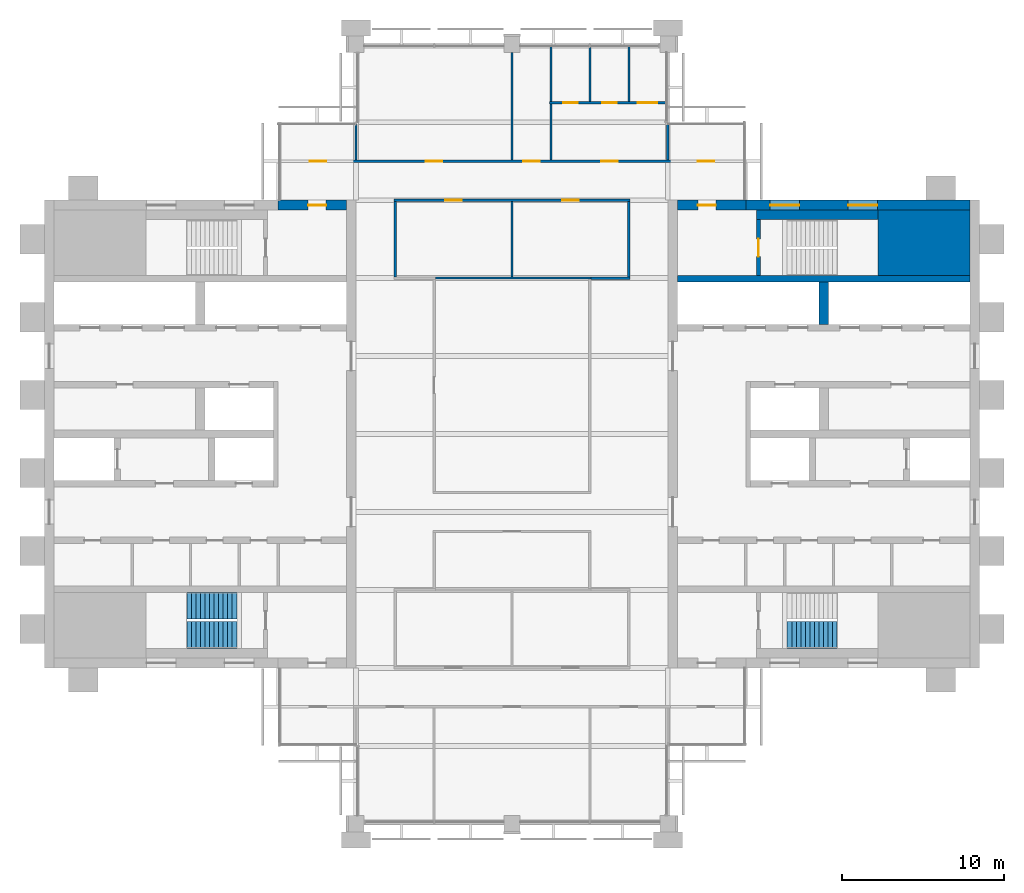
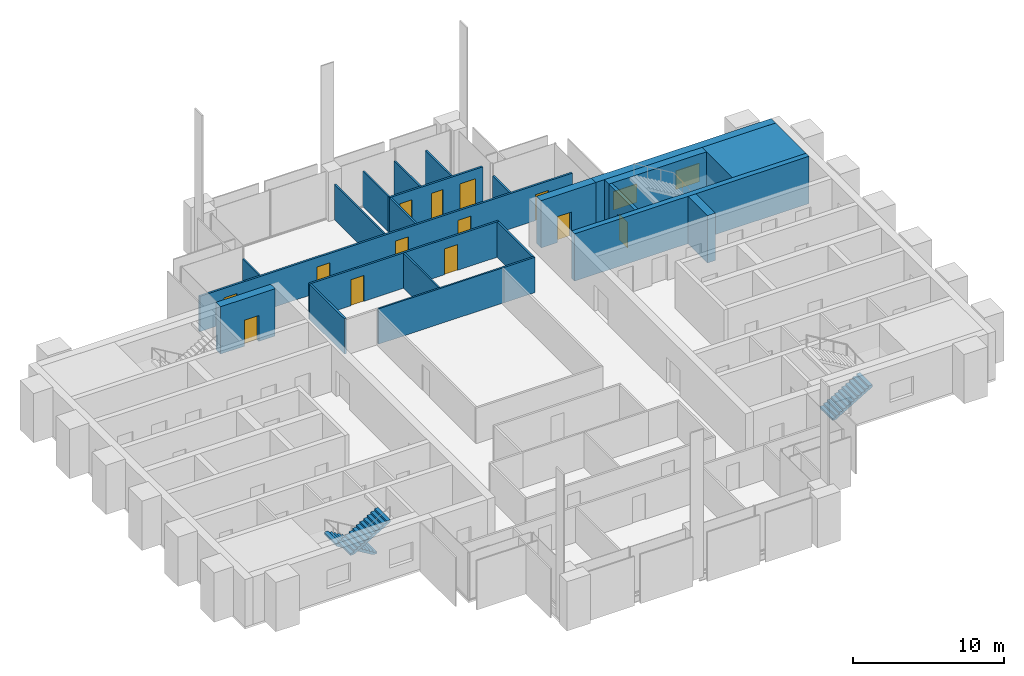
# One storey, part 11 of 13: 23 walls, 13 doors, 3 stair flights, 2 windows, 15 openings, 2 elements without a shape of their own.
"""IFC4 building model written with IfcOpenShell, lengths in metres."""

from ifc_helpers import new_model, si_unit, direction, frame, frame_2d, origin, place, context, subcontext, project, spatial, polyline, rectangle, outline, extrude, material, layer, layer_set, type_object, element, fill, aggregate, save


model = new_model("IFC4")

# Units and contexts
model_context = context("Model", 3, precision=1e-05, world=origin(), true_north=direction((0.0, 1.0)))
body_context = subcontext(model_context, "Body", "Model", "MODEL_VIEW")
ifc_project = project(units=[si_unit("LENGTHUNIT", "METRE"), si_unit("AREAUNIT", "SQUARE_METRE"), si_unit("VOLUMEUNIT", "CUBIC_METRE"), si_unit("PLANEANGLEUNIT", "RADIAN"), si_unit("MASSUNIT", "GRAM", prefix="KILO")], contexts=[model_context])

# Site, building, storey
site_placement = place(None, origin())
site = spatial("IfcSite", under=ifc_project, at=site_placement, CompositionType="ELEMENT")
building_placement = place(site_placement, origin())
building = spatial("IfcBuilding", under=site, at=building_placement, Name="Baori Bourse Tower", CompositionType="ELEMENT")
storey_placement = place(building_placement, frame((0.0, 0.0, 330.300048828125)))
storey = spatial("IfcBuildingStorey", under=building, at=storey_placement, Name="L73", CompositionType="ELEMENT", Elevation=330.300048828125)

# Wall
ifc_material_1 = material(Name="Concrete f'c 40 MPa", Category="concrete")
wall_type_1 = type_object("IfcWallType", Name="Core corner block f'c 40", PredefinedType="SHEAR", material=ifc_material_1)
wall_1_placement = place(storey_placement, frame((51.35009765625, 35.77490234375, 0.0), z_axis=(0.0, 0.0, 1.0), x_axis=(1.0, 0.0, 0.0)))
element("IfcWall", 1, at=wall_1_placement, inside=storey, type_object=wall_type_1, Name="Core wall E24", PredefinedType="SHEAR", context=body_context, shape_type="SweptSolid", body=[
    extrude(rectangle(XDim=5.64990234375, YDim=4.050048828125, at=frame_2d((2.824951171875, 0.0))), origin(), (0.0, 0.0, 1.0), 3.83984375),
])

# Wall, opening, door
ifc_material_2 = material(Name="Concrete f'c 40 MPa", Category="concrete")
ifc_layer_1 = layer(ifc_material_2, 0.60009765625)
ifc_layer_set_1 = layer_set([ifc_layer_1], Name="Core wall 600 f'c 40")
wall_type_2 = type_object("IfcWallType", Name="Core wall 600 f'c 40", PredefinedType="SHEAR", material=ifc_layer_set_1)
wall_2_placement = place(storey_placement, frame((14.39990234375, 38.10009765625, 0.0), z_axis=(0.0, 0.0, 1.0), x_axis=(1.0, 0.0, 0.0)))
wall_2 = element("IfcWall", 2, at=wall_2_placement, inside=storey, type_object=wall_type_2, Name="Core wall W28", PredefinedType="SHEAR", context=body_context, shape_type="SweptSolid", body=[
    extrude(rectangle(XDim=4.2001953125, YDim=0.60009765625, at=frame_2d((2.10009765625, 0.0))), origin(), (0.0, 0.0, 1.0), 3.83984375),
])
opening_1_placement = place(wall_2_placement, frame((1.85009765625, 0.0, 0.0)))
opening_1 = element("IfcOpeningElement", 3, at=opening_1_placement, cuts=wall_2, Name="Opening L73-D104", PredefinedType="OPENING", context=body_context, shape_type="SweptSolid", body=[
    extrude(rectangle(XDim=1.10009765625, YDim=2.10009765625, at=frame_2d((0.550048828125, 1.050048828125))), frame((0.0, 0.31005859375, 0.0), z_axis=(0.0, -1.0, 0.0), x_axis=(1.0, 0.0, 0.0)), (0.0, 0.0, 1.0), 0.6201171875),
])
ifc_material_3 = material(Name="Painted steel door", Category="steel")
door_type_1 = type_object("IfcDoorType", Name="Stair door 1100", OperationType="SINGLE_SWING_LEFT", PredefinedType="DOOR", material=ifc_material_3)
door_1_placement = place(opening_1_placement, origin())
door_1 = element("IfcDoor", 4, at=door_1_placement, inside=storey, type_object=door_type_1, Name="Stair vestibule door B W L73", OperationType="SINGLE_SWING_LEFT", OverallHeight=2.10009765625, OverallWidth=1.10009765625, PredefinedType="DOOR", context=body_context, shape_type="SweptSolid", body=[
    extrude(rectangle(XDim=1.10009765625, YDim=2.10009765625, at=frame_2d((0.550048828125, 1.050048828125))), frame((0.0, 0.02490234375, 0.0), z_axis=(0.0, -1.0, 0.0), x_axis=(1.0, 0.0, 0.0)), (0.0, 0.0, 1.0), 0.050048828125),
])
fill(opening_1, door_1)

# Wall, openings, windows
wall_3_placement = place(storey_placement, frame((43.199951171875, 38.10009765625, 0.0), z_axis=(0.0, 0.0, 1.0), x_axis=(1.0, 0.0, 0.0)))
wall_3 = element("IfcWall", 5, at=wall_3_placement, inside=storey, type_object=wall_type_2, Name="Core wall E27", PredefinedType="SHEAR", context=body_context, shape_type="SweptSolid", body=[
    extrude(rectangle(XDim=13.800048828125, YDim=0.60009765625, at=frame_2d((6.89990234375, 0.0))), origin(), (0.0, 0.0, 1.0), 3.83984375),
])
opening_2_placement = place(wall_3_placement, frame((6.300048828125, 0.0, 0.89990234375)))
opening_2 = element("IfcOpeningElement", 6, at=opening_2_placement, cuts=wall_3, Name="Opening L73-KW205", PredefinedType="OPENING", context=body_context, shape_type="SweptSolid", body=[
    extrude(rectangle(XDim=1.800048828125, YDim=1.5, at=frame_2d((0.89990234375, 0.75))), frame((0.0, 0.31005859375, 0.0), z_axis=(0.0, -1.0, 0.0), x_axis=(1.0, 0.0, 0.0)), (0.0, 0.0, 1.0), 0.6201171875),
])
opening_3_placement = place(wall_3_placement, frame((1.5, 0.0, 0.89990234375)))
opening_3 = element("IfcOpeningElement", 7, at=opening_3_placement, cuts=wall_3, Name="Opening L73-KW206", PredefinedType="OPENING", context=body_context, shape_type="SweptSolid", body=[
    extrude(rectangle(XDim=1.800048828125, YDim=1.5, at=frame_2d((0.89990234375, 0.75))), frame((0.0, 0.31005859375, 0.0), z_axis=(0.0, -1.0, 0.0), x_axis=(1.0, 0.0, 0.0)), (0.0, 0.0, 1.0), 0.6201171875),
])
ifc_material_4 = material(Name="Pale anodised aluminium", Category="aluminium")
window_type = type_object("IfcWindowType", Name="Stair window 1800 x 1500", PartitioningType="SINGLE_PANEL", PredefinedType="WINDOW", material=ifc_material_4)
window_1_placement = place(opening_2_placement, origin())
window_1 = element("IfcWindow", 8, at=window_1_placement, inside=storey, type_object=window_type, Name="Stair window E L73 5", OverallHeight=1.5, OverallWidth=1.800048828125, PartitioningType="SINGLE_PANEL", PredefinedType="WINDOW", context=body_context, shape_type="SweptSolid", body=[
    extrude(rectangle(XDim=1.800048828125, YDim=1.5, at=frame_2d((0.89990234375, 0.75))), frame((0.0, 0.030029296875, 0.0), z_axis=(0.0, -1.0, 0.0), x_axis=(1.0, 0.0, 0.0)), (0.0, 0.0, 1.0), 0.06005859375),
])
fill(opening_2, window_1)
window_2_placement = place(opening_3_placement, origin())
window_2 = element("IfcWindow", 9, at=window_2_placement, inside=storey, type_object=window_type, Name="Stair window E L73 6", OverallHeight=1.5, OverallWidth=1.800048828125, PartitioningType="SINGLE_PANEL", PredefinedType="WINDOW", context=body_context, shape_type="SweptSolid", body=[
    extrude(rectangle(XDim=1.800048828125, YDim=1.5, at=frame_2d((0.89990234375, 0.75))), frame((0.0, 0.030029296875, 0.0), z_axis=(0.0, -1.0, 0.0), x_axis=(1.0, 0.0, 0.0)), (0.0, 0.0, 1.0), 0.06005859375),
])
fill(opening_3, window_2)

# Wall, opening, door
wall_4_placement = place(storey_placement, frame((39.0, 38.10009765625, 0.0), z_axis=(0.0, 0.0, 1.0), x_axis=(1.0, 0.0, 0.0)))
wall_4 = element("IfcWall", 10, at=wall_4_placement, inside=storey, type_object=wall_type_2, Name="Core wall E28", PredefinedType="SHEAR", context=body_context, shape_type="SweptSolid", body=[
    extrude(rectangle(XDim=4.199951171875, YDim=0.60009765625, at=frame_2d((2.10009765625, 0.0))), origin(), (0.0, 0.0, 1.0), 3.83984375),
])
opening_4_placement = place(wall_4_placement, frame((1.25, 0.0, 0.0)))
opening_4 = element("IfcOpeningElement", 11, at=opening_4_placement, cuts=wall_4, Name="Opening L73-D204", PredefinedType="OPENING", context=body_context, shape_type="SweptSolid", body=[
    extrude(rectangle(XDim=1.10009765625, YDim=2.10009765625, at=frame_2d((0.550048828125, 1.050048828125))), frame((0.0, 0.31005859375, 0.0), z_axis=(0.0, -1.0, 0.0), x_axis=(1.0, 0.0, 0.0)), (0.0, 0.0, 1.0), 0.6201171875),
])
door_2_placement = place(opening_4_placement, origin())
door_2 = element("IfcDoor", 12, at=door_2_placement, inside=storey, type_object=door_type_1, Name="Stair vestibule door B E L73", OperationType="SINGLE_SWING_LEFT", OverallHeight=2.10009765625, OverallWidth=1.10009765625, PredefinedType="DOOR", context=body_context, shape_type="SweptSolid", body=[
    extrude(rectangle(XDim=1.10009765625, YDim=2.10009765625, at=frame_2d((0.550048828125, 1.050048828125))), frame((0.0, 0.02490234375, 0.0), z_axis=(0.0, -1.0, 0.0), x_axis=(1.0, 0.0, 0.0)), (0.0, 0.0, 1.0), 0.050048828125),
])
fill(opening_4, door_2)

# Wall
ifc_material_5 = material(Name="Gypsum board partition")
ifc_layer_2 = layer(ifc_material_5, 0.14990234375)
ifc_layer_set_2 = layer_set([ifc_layer_2], Name="Corridor partition 150")
wall_type_3 = type_object("IfcWallType", Name="Corridor partition 150", PredefinedType="PARTITIONING", material=ifc_layer_set_2)
wall_5_placement = place(storey_placement, frame((33.675048828125, 33.60009765625, 0.0), z_axis=(0.0, 0.0, 1.0), x_axis=(1.0, 0.0, 0.0)))
element("IfcWall", 13, at=wall_5_placement, inside=storey, type_object=wall_type_3, Name="Partition", PredefinedType="PARTITIONING", context=body_context, shape_type="SweptSolid", body=[
    extrude(rectangle(XDim=2.39990234375, YDim=0.14990234375, at=frame_2d((1.199951171875, 0.0))), origin(), (0.0, 0.0, 1.0), 2.86962890625),
])

# Wall, openings, doors
wall_6_placement = place(storey_placement, frame((21.52490234375, 38.39990234375, 0.0), z_axis=(0.0, 0.0, 1.0), x_axis=(1.0, 0.0, 0.0)))
wall_6 = element("IfcWall", 14, at=wall_6_placement, inside=storey, type_object=wall_type_3, Name="Partition", PredefinedType="PARTITIONING", context=body_context, shape_type="SweptSolid", body=[
    extrude(rectangle(XDim=14.550048828125, YDim=0.14990234375, at=frame_2d((7.27490234375, 0.0))), origin(), (0.0, 0.0, 1.0), 2.86962890625),
])
opening_5_placement = place(wall_6_placement, frame((3.175048828125, 0.0, 0.0)))
opening_5 = element("IfcOpeningElement", 15, at=opening_5_placement, cuts=wall_6, Name="Opening L73-D09", PredefinedType="OPENING", context=body_context, shape_type="SweptSolid", body=[
    extrude(rectangle(XDim=1.0, YDim=2.10009765625, at=frame_2d((0.5, 1.050048828125))), frame((0.0, 0.0849609375, 0.0), z_axis=(0.0, -1.0, 0.0), x_axis=(1.0, 0.0, 0.0)), (0.0, 0.0, 1.0), 0.169921875),
])
opening_6_placement = place(wall_6_placement, frame((10.375, 0.0, 0.0)))
opening_6 = element("IfcOpeningElement", 16, at=opening_6_placement, cuts=wall_6, Name="Opening L73-D10", PredefinedType="OPENING", context=body_context, shape_type="SweptSolid", body=[
    extrude(rectangle(XDim=1.0, YDim=2.10009765625, at=frame_2d((0.5, 1.050048828125))), frame((0.0, 0.0849609375, 0.0), z_axis=(0.0, -1.0, 0.0), x_axis=(1.0, 0.0, 0.0)), (0.0, 0.0, 1.0), 0.169921875),
])
ifc_material_6 = material(Name="Timber door leaf", Category="wood")
door_type_2 = type_object("IfcDoorType", Name="Door 1000 x 2100", OperationType="SINGLE_SWING_LEFT", PredefinedType="DOOR", material=ifc_material_6)
door_3_placement = place(opening_5_placement, origin())
door_3 = element("IfcDoor", 17, at=door_3_placement, inside=storey, type_object=door_type_2, Name="Door", OperationType="SINGLE_SWING_LEFT", OverallHeight=2.10009765625, OverallWidth=1.0, PredefinedType="DOOR", context=body_context, shape_type="SweptSolid", body=[
    extrude(rectangle(XDim=1.0, YDim=2.10009765625, at=frame_2d((0.5, 1.050048828125))), frame((0.0, 0.02490234375, 0.0), z_axis=(0.0, -1.0, 0.0), x_axis=(1.0, 0.0, 0.0)), (0.0, 0.0, 1.0), 0.050048828125),
])
fill(opening_5, door_3)
door_4_placement = place(opening_6_placement, origin())
door_4 = element("IfcDoor", 18, at=door_4_placement, inside=storey, type_object=door_type_2, Name="Door", OperationType="SINGLE_SWING_RIGHT", OverallHeight=2.10009765625, OverallWidth=1.0, PredefinedType="DOOR", context=body_context, shape_type="SweptSolid", body=[
    extrude(rectangle(XDim=1.0, YDim=2.10009765625, at=frame_2d((0.5, 1.050048828125))), frame((0.0, 0.02490234375, 0.0), z_axis=(0.0, -1.0, 0.0), x_axis=(1.0, 0.0, 0.0)), (0.0, 0.0, 1.0), 0.050048828125),
])
fill(opening_6, door_4)

wall_7_placement = place(storey_placement, frame((14.5, 40.800048828125, 0.0), z_axis=(0.0, 0.0, 1.0), x_axis=(1.0, 0.0, 0.0)))
wall_7 = element("IfcWall", 19, at=wall_7_placement, inside=storey, type_object=wall_type_3, Name="Partition", PredefinedType="PARTITIONING", context=body_context, shape_type="SweptSolid", body=[
    extrude(rectangle(XDim=28.60009765625, YDim=0.14990234375, at=frame_2d((14.300048828125, 0.0))), origin(), (0.0, 0.0, 1.0), 2.86962890625),
])
opening_7_placement = place(wall_7_placement, frame((1.85009765625, 0.0, 0.0)))
opening_7 = element("IfcOpeningElement", 20, at=opening_7_placement, cuts=wall_7, Name="Opening L73-D11", PredefinedType="OPENING", context=body_context, shape_type="SweptSolid", body=[
    extrude(rectangle(XDim=1.0, YDim=2.10009765625, at=frame_2d((0.5, 1.050048828125))), frame((0.0, 0.0849609375, 0.0), z_axis=(0.0, -1.0, 0.0), x_axis=(1.0, 0.0, 0.0)), (0.0, 0.0, 1.0), 0.169921875),
])
opening_8_placement = place(wall_7_placement, frame((9.0, 0.0, 0.0)))
opening_8 = element("IfcOpeningElement", 21, at=opening_8_placement, cuts=wall_7, Name="Opening L73-D12", PredefinedType="OPENING", context=body_context, shape_type="SweptSolid", body=[
    extrude(rectangle(XDim=1.0, YDim=2.10009765625, at=frame_2d((0.5, 1.050048828125))), frame((0.0, 0.0849609375, 0.0), z_axis=(0.0, -1.0, 0.0), x_axis=(1.0, 0.0, 0.0)), (0.0, 0.0, 1.0), 0.169921875),
])
opening_9_placement = place(wall_7_placement, frame((15.0, 0.0, 0.0)))
opening_9 = element("IfcOpeningElement", 22, at=opening_9_placement, cuts=wall_7, Name="Opening L73-D13", PredefinedType="OPENING", context=body_context, shape_type="SweptSolid", body=[
    extrude(rectangle(XDim=1.0, YDim=2.10009765625, at=frame_2d((0.5, 1.050048828125))), frame((0.0, 0.0849609375, 0.0), z_axis=(0.0, -1.0, 0.0), x_axis=(1.0, 0.0, 0.0)), (0.0, 0.0, 1.0), 0.169921875),
])
opening_10_placement = place(wall_7_placement, frame((19.800048828125, 0.0, 0.0)))
opening_10 = element("IfcOpeningElement", 23, at=opening_10_placement, cuts=wall_7, Name="Opening L73-D14", PredefinedType="OPENING", context=body_context, shape_type="SweptSolid", body=[
    extrude(rectangle(XDim=1.0, YDim=2.10009765625, at=frame_2d((0.5, 1.050048828125))), frame((0.0, 0.0849609375, 0.0), z_axis=(0.0, -1.0, 0.0), x_axis=(1.0, 0.0, 0.0)), (0.0, 0.0, 1.0), 0.169921875),
])
opening_11_placement = place(wall_7_placement, frame((25.75, 0.0, 0.0)))
opening_11 = element("IfcOpeningElement", 24, at=opening_11_placement, cuts=wall_7, Name="Opening L73-D15", PredefinedType="OPENING", context=body_context, shape_type="SweptSolid", body=[
    extrude(rectangle(XDim=1.0, YDim=2.10009765625, at=frame_2d((0.5, 1.050048828125))), frame((0.0, 0.0849609375, 0.0), z_axis=(0.0, -1.0, 0.0), x_axis=(1.0, 0.0, 0.0)), (0.0, 0.0, 1.0), 0.169921875),
])
door_5_placement = place(opening_7_placement, origin())
door_5 = element("IfcDoor", 25, at=door_5_placement, inside=storey, type_object=door_type_2, Name="Door", OperationType="SINGLE_SWING_RIGHT", OverallHeight=2.10009765625, OverallWidth=1.0, PredefinedType="DOOR", context=body_context, shape_type="SweptSolid", body=[
    extrude(rectangle(XDim=1.0, YDim=2.10009765625, at=frame_2d((0.5, 1.050048828125))), frame((0.0, 0.02490234375, 0.0), z_axis=(0.0, -1.0, 0.0), x_axis=(1.0, 0.0, 0.0)), (0.0, 0.0, 1.0), 0.050048828125),
])
fill(opening_7, door_5)
door_6_placement = place(opening_8_placement, origin())
door_6 = element("IfcDoor", 26, at=door_6_placement, inside=storey, type_object=door_type_2, Name="Door", OperationType="SINGLE_SWING_RIGHT", OverallHeight=2.10009765625, OverallWidth=1.0, PredefinedType="DOOR", context=body_context, shape_type="SweptSolid", body=[
    extrude(rectangle(XDim=1.0, YDim=2.10009765625, at=frame_2d((0.5, 1.050048828125))), frame((0.0, 0.02490234375, 0.0), z_axis=(0.0, -1.0, 0.0), x_axis=(1.0, 0.0, 0.0)), (0.0, 0.0, 1.0), 0.050048828125),
])
fill(opening_8, door_6)
door_7_placement = place(opening_9_placement, origin())
door_7 = element("IfcDoor", 27, at=door_7_placement, inside=storey, type_object=door_type_2, Name="Door", OperationType="SINGLE_SWING_LEFT", OverallHeight=2.10009765625, OverallWidth=1.0, PredefinedType="DOOR", context=body_context, shape_type="SweptSolid", body=[
    extrude(rectangle(XDim=1.0, YDim=2.10009765625, at=frame_2d((0.5, 1.050048828125))), frame((0.0, 0.02490234375, 0.0), z_axis=(0.0, -1.0, 0.0), x_axis=(1.0, 0.0, 0.0)), (0.0, 0.0, 1.0), 0.050048828125),
])
fill(opening_9, door_7)
door_8_placement = place(opening_10_placement, origin())
door_8 = element("IfcDoor", 28, at=door_8_placement, inside=storey, type_object=door_type_2, Name="Door", OperationType="SINGLE_SWING_RIGHT", OverallHeight=2.10009765625, OverallWidth=1.0, PredefinedType="DOOR", context=body_context, shape_type="SweptSolid", body=[
    extrude(rectangle(XDim=1.0, YDim=2.10009765625, at=frame_2d((0.5, 1.050048828125))), frame((0.0, 0.02490234375, 0.0), z_axis=(0.0, -1.0, 0.0), x_axis=(1.0, 0.0, 0.0)), (0.0, 0.0, 1.0), 0.050048828125),
])
fill(opening_10, door_8)
door_9_placement = place(opening_11_placement, origin())
door_9 = element("IfcDoor", 29, at=door_9_placement, inside=storey, type_object=door_type_2, Name="Door", OperationType="SINGLE_SWING_LEFT", OverallHeight=2.10009765625, OverallWidth=1.0, PredefinedType="DOOR", context=body_context, shape_type="SweptSolid", body=[
    extrude(rectangle(XDim=1.0, YDim=2.10009765625, at=frame_2d((0.5, 1.050048828125))), frame((0.0, 0.02490234375, 0.0), z_axis=(0.0, -1.0, 0.0), x_axis=(1.0, 0.0, 0.0)), (0.0, 0.0, 1.0), 0.050048828125),
])
fill(opening_11, door_9)

wall_8_placement = place(storey_placement, frame((31.125, 44.39990234375, 0.0), z_axis=(0.0, 0.0, 1.0), x_axis=(1.0, 0.0, 0.0)))
wall_8 = element("IfcWall", 30, at=wall_8_placement, inside=storey, type_object=wall_type_3, Name="Partition", PredefinedType="PARTITIONING", context=body_context, shape_type="SweptSolid", body=[
    extrude(rectangle(XDim=7.175048828125, YDim=0.14990234375, at=frame_2d((3.58740234375, 0.0))), origin(), (0.0, 0.0, 1.0), 2.86962890625),
])
opening_12_placement = place(wall_8_placement, frame((0.824951171875, 0.0, 0.0)))
opening_12 = element("IfcOpeningElement", 31, at=opening_12_placement, cuts=wall_8, Name="Opening L73-D16", PredefinedType="OPENING", context=body_context, shape_type="SweptSolid", body=[
    extrude(rectangle(XDim=0.89990234375, YDim=2.10009765625, at=frame_2d((0.449951171875, 1.050048828125))), frame((0.0, 0.0849609375, 0.0), z_axis=(0.0, -1.0, 0.0), x_axis=(1.0, 0.0, 0.0)), (0.0, 0.0, 1.0), 0.169921875),
])
opening_13_placement = place(wall_8_placement, frame((3.22509765625, 0.0, 0.0)))
opening_13 = element("IfcOpeningElement", 32, at=opening_13_placement, cuts=wall_8, Name="Opening L73-D17", PredefinedType="OPENING", context=body_context, shape_type="SweptSolid", body=[
    extrude(rectangle(XDim=0.89990234375, YDim=2.10009765625, at=frame_2d((0.449951171875, 1.050048828125))), frame((0.0, 0.0849609375, 0.0), z_axis=(0.0, -1.0, 0.0), x_axis=(1.0, 0.0, 0.0)), (0.0, 0.0, 1.0), 0.169921875),
])
opening_14_placement = place(wall_8_placement, frame((5.425048828125, 0.0, 0.0)))
opening_14 = element("IfcOpeningElement", 33, at=opening_14_placement, cuts=wall_8, Name="Opening L73-D18", PredefinedType="OPENING", context=body_context, shape_type="SweptSolid", body=[
    extrude(rectangle(XDim=1.199951171875, YDim=2.10009765625, at=frame_2d((0.60009765625, 1.050048828125))), frame((0.0, 0.0849609375, 0.0), z_axis=(0.0, -1.0, 0.0), x_axis=(1.0, 0.0, 0.0)), (0.0, 0.0, 1.0), 0.169921875),
])
ifc_material_7 = material(Name="Timber door leaf", Category="wood")
door_type_3 = type_object("IfcDoorType", Name="Door 1200 x 2100", OperationType="SINGLE_SWING_LEFT", PredefinedType="DOOR", material=ifc_material_7)
door_10_placement = place(opening_14_placement, origin())
door_10 = element("IfcDoor", 34, at=door_10_placement, inside=storey, type_object=door_type_3, Name="Door", OperationType="SINGLE_SWING_LEFT", OverallHeight=2.10009765625, OverallWidth=1.199951171875, PredefinedType="DOOR", context=body_context, shape_type="SweptSolid", body=[
    extrude(rectangle(XDim=1.199951171875, YDim=2.10009765625, at=frame_2d((0.60009765625, 1.050048828125))), frame((0.0, 0.02490234375, 0.0), z_axis=(0.0, -1.0, 0.0), x_axis=(1.0, 0.0, 0.0)), (0.0, 0.0, 1.0), 0.050048828125),
])
fill(opening_14, door_10)
ifc_material_8 = material(Name="Timber door leaf", Category="wood")
door_type_4 = type_object("IfcDoorType", Name="Door 900 x 2100", OperationType="SINGLE_SWING_LEFT", PredefinedType="DOOR", material=ifc_material_8)
door_11_placement = place(opening_12_placement, origin())
door_11 = element("IfcDoor", 35, at=door_11_placement, inside=storey, type_object=door_type_4, Name="Door", OperationType="SINGLE_SWING_RIGHT", OverallHeight=2.10009765625, OverallWidth=0.89990234375, PredefinedType="DOOR", context=body_context, shape_type="SweptSolid", body=[
    extrude(rectangle(XDim=0.89990234375, YDim=2.10009765625, at=frame_2d((0.449951171875, 1.050048828125))), frame((0.0, 0.02490234375, 0.0), z_axis=(0.0, -1.0, 0.0), x_axis=(1.0, 0.0, 0.0)), (0.0, 0.0, 1.0), 0.050048828125),
])
fill(opening_12, door_11)
door_12_placement = place(opening_13_placement, origin())
door_12 = element("IfcDoor", 36, at=door_12_placement, inside=storey, type_object=door_type_4, Name="Door", OperationType="SINGLE_SWING_LEFT", OverallHeight=2.10009765625, OverallWidth=0.89990234375, PredefinedType="DOOR", context=body_context, shape_type="SweptSolid", body=[
    extrude(rectangle(XDim=0.89990234375, YDim=2.10009765625, at=frame_2d((0.449951171875, 1.050048828125))), frame((0.0, 0.02490234375, 0.0), z_axis=(0.0, -1.0, 0.0), x_axis=(1.0, 0.0, 0.0)), (0.0, 0.0, 1.0), 0.050048828125),
])
fill(opening_13, door_12)

# Walls
wall_9_placement = place(storey_placement, frame((21.60009765625, 33.675048828125, 0.0), z_axis=(0.0, 0.0, 1.0), x_axis=(0.0, 1.0, 0.0)))
element("IfcWall", 37, at=wall_9_placement, inside=storey, type_object=wall_type_3, Name="Partition", PredefinedType="PARTITIONING", context=body_context, shape_type="SweptSolid", body=[
    extrude(rectangle(XDim=4.64990234375, YDim=0.14990234375, at=frame_2d((2.324951171875, 0.0))), origin(), (0.0, 0.0, 1.0), 2.86962890625),
])
wall_10_placement = place(storey_placement, frame((31.199951171875, 40.875, 0.0), z_axis=(0.0, 0.0, 1.0), x_axis=(0.0, 1.0, 0.0)))
element("IfcWall", 38, at=wall_10_placement, inside=storey, type_object=wall_type_3, Name="Partition", PredefinedType="PARTITIONING", context=body_context, shape_type="SweptSolid", body=[
    extrude(rectangle(XDim=3.449951171875, YDim=0.14990234375, at=frame_2d((1.72509765625, 0.0))), origin(), (0.0, 0.0, 1.0), 2.86962890625),
])
wall_11_placement = place(storey_placement, frame((36.0, 33.675048828125, 0.0), z_axis=(0.0, 0.0, 1.0), x_axis=(0.0, 1.0, 0.0)))
element("IfcWall", 39, at=wall_11_placement, inside=storey, type_object=wall_type_3, Name="Partition", PredefinedType="PARTITIONING", context=body_context, shape_type="SweptSolid", body=[
    extrude(rectangle(XDim=4.64990234375, YDim=0.14990234375, at=frame_2d((2.324951171875, 0.0))), origin(), (0.0, 0.0, 1.0), 2.86962890625),
])
wall_12_placement = place(storey_placement, frame((38.39990234375, 40.875, 0.0), z_axis=(0.0, 0.0, 1.0), x_axis=(0.0, 1.0, 0.0)))
element("IfcWall", 40, at=wall_12_placement, inside=storey, type_object=wall_type_3, Name="Partition", PredefinedType="PARTITIONING", context=body_context, shape_type="SweptSolid", body=[
    extrude(rectangle(XDim=2.22509765625, YDim=0.14990234375, at=frame_2d((1.112548828125, 0.0))), origin(), (0.0, 0.0, 1.0), 2.86962890625),
])
ifc_material_9 = material(Name="Gypsum board partition")
ifc_layer_3 = layer(ifc_material_9, 0.125)
ifc_layer_set_3 = layer_set([ifc_layer_3], Name="Partition 125")
wall_type_4 = type_object("IfcWallType", Name="Partition 125", PredefinedType="PARTITIONING", material=ifc_layer_set_3)
wall_13_placement = place(storey_placement, frame((24.074951171875, 33.60009765625, 0.0), z_axis=(0.0, 0.0, 1.0), x_axis=(1.0, 0.0, 0.0)))
element("IfcWall", 41, at=wall_13_placement, inside=storey, type_object=wall_type_4, Name="Partition", PredefinedType="PARTITIONING", context=body_context, shape_type="SweptSolid", body=[
    extrude(rectangle(XDim=9.60009765625, YDim=0.125, at=frame_2d((4.800048828125, 0.0))), origin(), (0.0, 0.0, 1.0), 2.86962890625),
])
wall_14_placement = place(storey_placement, frame((19.199951171875, 40.875, 0.0), z_axis=(0.0, 0.0, 1.0), x_axis=(0.0, 1.0, 0.0)))
element("IfcWall", 42, at=wall_14_placement, inside=storey, type_object=wall_type_4, Name="Partition", PredefinedType="PARTITIONING", context=body_context, shape_type="SweptSolid", body=[
    extrude(rectangle(XDim=2.22509765625, YDim=0.125, at=frame_2d((1.112548828125, 0.0))), origin(), (0.0, 0.0, 1.0), 2.86962890625),
])
wall_15_placement = place(storey_placement, frame((28.800048828125, 33.66259765625, 0.0), z_axis=(0.0, 0.0, 1.0), x_axis=(0.0, 1.0, 0.0)))
element("IfcWall", 43, at=wall_15_placement, inside=storey, type_object=wall_type_4, Name="Partition", PredefinedType="PARTITIONING", context=body_context, shape_type="SweptSolid", body=[
    extrude(rectangle(XDim=4.662353515625, YDim=0.125, at=frame_2d((2.3310546875, 0.0))), origin(), (0.0, 0.0, 1.0), 2.86962890625),
])
wall_16_placement = place(storey_placement, frame((28.800048828125, 40.875, 0.0), z_axis=(0.0, 0.0, 1.0), x_axis=(0.0, 1.0, 0.0)))
element("IfcWall", 44, at=wall_16_placement, inside=storey, type_object=wall_type_4, Name="Partition", PredefinedType="PARTITIONING", context=body_context, shape_type="SweptSolid", body=[
    extrude(rectangle(XDim=6.625, YDim=0.125, at=frame_2d((3.3125, 0.0))), origin(), (0.0, 0.0, 1.0), 2.86962890625),
])
for number, where, z_axis, x_axis, name in (
    (45, (31.199951171875, 44.47509765625, 0.0), (0.0, 0.0, 1.0), (0.0, 1.0, 0.0), "Partition"),
    (46, (33.60009765625, 44.47509765625, 0.0), (0.0, 0.0, 1.0), (0.0, 1.0, 0.0), "Partition"),
    (47, (36.0, 44.47509765625, 0.0), (0.0, 0.0, 1.0), (0.0, 1.0, 0.0), "Partition"),
):
    element("IfcWall", number, at=place(storey_placement, frame(where, z_axis=z_axis, x_axis=x_axis)), inside=storey, type_object=wall_type_4, Name=name, PredefinedType="PARTITIONING", context=body_context, shape_type="SweptSolid", body=[
        extrude(rectangle(XDim=3.4248046875, YDim=0.125, at=frame_2d((1.71240234375, 0.0))), origin(), (0.0, 0.0, 1.0), 2.86962890625),
    ])

# Wall, opening, door
ifc_material_10 = material(Name="Concrete f'c 40 MPa", Category="concrete")
ifc_layer_4 = layer(ifc_material_10, 0.25)
ifc_layer_set_4 = layer_set([ifc_layer_4], Name="Shaft wall 250 f'c 40")
wall_type_5 = type_object("IfcWallType", Name="Shaft wall 250 f'c 40", PredefinedType="SHEAR", material=ifc_layer_set_4)
wall_17_placement = place(storey_placement, frame((43.97509765625, 33.75, 0.0), z_axis=(0.0, 0.0, 1.0), x_axis=(0.0, 1.0, 0.0)))
wall_17 = element("IfcWall", 48, at=wall_17_placement, inside=storey, type_object=wall_type_5, Name="Core wall E25", PredefinedType="SHEAR", context=body_context, shape_type="SweptSolid", body=[
    extrude(rectangle(XDim=3.449951171875, YDim=0.25, at=frame_2d((1.72509765625, 0.0))), origin(), (0.0, 0.0, 1.0), 3.83984375),
])
opening_15_placement = place(wall_17_placement, frame((1.175048828125, 0.0, 0.0)))
opening_15 = element("IfcOpeningElement", 49, at=opening_15_placement, cuts=wall_17, Name="Opening L73-D203", PredefinedType="OPENING", context=body_context, shape_type="SweptSolid", body=[
    extrude(rectangle(XDim=1.10009765625, YDim=2.10009765625, at=frame_2d((0.550048828125, 1.050048828125))), frame((0.0, 0.135009765625, 0.0), z_axis=(0.0, -1.0, 0.0), x_axis=(1.0, 0.0, 0.0)), (0.0, 0.0, 1.0), 0.27001953125),
])
door_13_placement = place(opening_15_placement, origin())
door_13 = element("IfcDoor", 50, at=door_13_placement, inside=storey, type_object=door_type_1, Name="Stair door B E L73", OperationType="SINGLE_SWING_LEFT", OverallHeight=2.10009765625, OverallWidth=1.10009765625, PredefinedType="DOOR", context=body_context, shape_type="SweptSolid", body=[
    extrude(rectangle(XDim=1.10009765625, YDim=2.10009765625, at=frame_2d((0.550048828125, 1.050048828125))), frame((0.0, 0.02490234375, 0.0), z_axis=(0.0, -1.0, 0.0), x_axis=(1.0, 0.0, 0.0)), (0.0, 0.0, 1.0), 0.050048828125),
])
fill(opening_15, door_13)

# Walls
ifc_material_11 = material(Name="Concrete f'c 40 MPa", Category="concrete")
ifc_layer_5 = layer(ifc_material_11, 0.39990234375)
ifc_layer_set_5 = layer_set([ifc_layer_5], Name="Shaft wall 400 f'c 40")
wall_type_6 = type_object("IfcWallType", Name="Shaft wall 400 f'c 40", PredefinedType="SHEAR", material=ifc_layer_set_5)
wall_18_placement = place(storey_placement, frame((39.0, 33.550048828125, 0.0), z_axis=(0.0, 0.0, 1.0), x_axis=(1.0, 0.0, 0.0)))
element("IfcWall", 51, at=wall_18_placement, inside=storey, type_object=wall_type_6, Name="Core wall E23", PredefinedType="SHEAR", context=body_context, shape_type="SweptSolid", body=[
    extrude(rectangle(XDim=18.0, YDim=0.39990234375, at=frame_2d((9.0, 0.0))), origin(), (0.0, 0.0, 1.0), 3.83984375),
])
ifc_material_12 = material(Name="Concrete f'c 40 MPa", Category="concrete")
ifc_layer_6 = layer(ifc_material_12, 0.60009765625)
ifc_layer_set_6 = layer_set([ifc_layer_6], Name="Shaft wall 600 f'c 40")
wall_type_7 = type_object("IfcWallType", Name="Shaft wall 600 f'c 40", PredefinedType="SHEAR", material=ifc_layer_set_6)
wall_19_placement = place(storey_placement, frame((48.0, 30.75, 0.0), z_axis=(0.0, 0.0, 1.0), x_axis=(0.0, 1.0, 0.0)))
element("IfcWall", 52, at=wall_19_placement, inside=storey, type_object=wall_type_7, Name="Core wall E22", PredefinedType="SHEAR", context=body_context, shape_type="SweptSolid", body=[
    extrude(rectangle(XDim=2.60009765625, YDim=0.60009765625, at=frame_2d((1.300048828125, 0.0))), origin(), (0.0, 0.0, 1.0), 3.83984375),
])
wall_20_placement = place(storey_placement, frame((43.85009765625, 37.5, 0.0), z_axis=(0.0, 0.0, 1.0), x_axis=(1.0, 0.0, 0.0)))
element("IfcWall", 53, at=wall_20_placement, inside=storey, type_object=wall_type_7, Name="Core wall E26", PredefinedType="SHEAR", context=body_context, shape_type="SweptSolid", body=[
    extrude(rectangle(XDim=7.5, YDim=0.60009765625, at=frame_2d((3.75, 0.0))), origin(), (0.0, 0.0, 1.0), 3.83984375),
])

# Stair, stair flights
ifc_material_13 = material(Name="Concrete f'c 50 MPa", Category="concrete")
stair_type = type_object("IfcStairType", Name="Core stair", PredefinedType="HALF_TURN_STAIR", material=ifc_material_13)
stair_1_placement = place(storey_placement, origin())
stair_1 = element("IfcStair", 54, at=stair_1_placement, inside=storey, type_object=stair_type, Name="L73 Stair WA", PredefinedType="HALF_TURN_STAIR")
ifc_material_14 = material(Name="Concrete f'c 50 MPa", Category="concrete")
stair_flight_type = type_object("IfcStairFlightType", Name="Core stair flight", PredefinedType="STRAIGHT", material=ifc_material_14)
stair_flight_1_placement = place(storey_placement, frame((11.85009765625, 13.425048828125, 0.0), z_axis=(0.0, 0.0, 1.0), x_axis=(-1.0, 0.0, 0.0)))
stair_flight_1 = element("IfcStairFlight", 55, at=stair_flight_1_placement, type_object=stair_flight_type, Name="ST1 flight 1", NumberOfRisers=12, NumberOfTreads=11, PredefinedType="STRAIGHT", RiserHeight=0.166666667, TreadLength=0.28, context=body_context, shape_type="SweptSolid", body=[
    extrude(outline(polyline([(0.0, 0.0), (0.0, 0.166748046875), (0.280029296875, 0.166748046875), (0.280029296875, 0.333251953125), (0.56005859375, 0.333251953125), (0.56005859375, 0.5), (0.840087890625, 0.5), (0.840087890625, 0.666748046875), (1.1201171875, 0.666748046875), (1.1201171875, 0.833251953125), (1.39990234375, 0.833251953125), (1.39990234375, 1.0), (1.679931640625, 1.0), (1.679931640625, 1.166748046875), (1.9599609375, 1.166748046875), (1.9599609375, 1.333251953125), (2.239990234375, 1.333251953125), (2.239990234375, 1.5), (2.52001953125, 1.5), (2.52001953125, 1.666748046875), (2.800048828125, 1.666748046875), (2.800048828125, 1.833251953125), (3.080078125, 1.833251953125), (3.080078125, 2.0), (3.080078125, 1.658935546875), (0.29296875, 0.0), (0.0, 0.0)])), frame((0.0, 0.824951171875, 0.0), z_axis=(0.0, -1.0, 0.0), x_axis=(1.0, 0.0, 0.0)), (0.0, 0.0, 1.0), 1.64990234375),
])
stair_flight_2_placement = place(storey_placement, frame((8.77001953125, 11.625, 2.0), z_axis=(0.0, 0.0, 1.0), x_axis=(1.0, 0.0, 0.0)))
stair_flight_2 = element("IfcStairFlight", 56, at=stair_flight_2_placement, type_object=stair_flight_type, Name="ST1 flight 2", NumberOfRisers=12, NumberOfTreads=11, PredefinedType="STRAIGHT", RiserHeight=0.166666667, TreadLength=0.28, context=body_context, shape_type="SweptSolid", body=[
    extrude(outline(polyline([(0.0, 0.0), (0.0, 0.166748046875), (0.280029296875, 0.166748046875), (0.280029296875, 0.333251953125), (0.56005859375, 0.333251953125), (0.56005859375, 0.5), (0.840087890625, 0.5), (0.840087890625, 0.666748046875), (1.1201171875, 0.666748046875), (1.1201171875, 0.833251953125), (1.39990234375, 0.833251953125), (1.39990234375, 1.0), (1.679931640625, 1.0), (1.679931640625, 1.166748046875), (1.9599609375, 1.166748046875), (1.9599609375, 1.333251953125), (2.239990234375, 1.333251953125), (2.239990234375, 1.5), (2.52001953125, 1.5), (2.52001953125, 1.666748046875), (2.800048828125, 1.666748046875), (2.800048828125, 1.833251953125), (3.080078125, 1.833251953125), (3.080078125, 2.0), (3.080078125, 1.658935546875), (0.29296875, 0.0), (0.0, 0.0)])), frame((0.0, 0.824951171875, 0.0), z_axis=(0.0, -1.0, 0.0), x_axis=(1.0, 0.0, 0.0)), (0.0, 0.0, 1.0), 1.64990234375),
])
aggregate(stair_1, [stair_flight_1, stair_flight_2])

# Stair, stair flight
stair_2_placement = place(storey_placement, origin())
stair_2 = element("IfcStair", 57, at=stair_2_placement, inside=storey, type_object=stair_type, Name="L73 Stair EA", PredefinedType="HALF_TURN_STAIR")
stair_flight_3_placement = place(storey_placement, frame((45.75, 11.625, 0.0), z_axis=(0.0, 0.0, 1.0), x_axis=(1.0, 0.0, 0.0)))
stair_flight_3 = element("IfcStairFlight", 58, at=stair_flight_3_placement, type_object=stair_flight_type, Name="ST3 flight 1", NumberOfRisers=12, NumberOfTreads=11, PredefinedType="STRAIGHT", RiserHeight=0.166666667, TreadLength=0.28, context=body_context, shape_type="SweptSolid", body=[
    extrude(outline(polyline([(0.0, 0.0), (0.0, 0.166748046875), (0.280029296875, 0.166748046875), (0.280029296875, 0.333251953125), (0.56005859375, 0.333251953125), (0.56005859375, 0.5), (0.840087890625, 0.5), (0.840087890625, 0.666748046875), (1.1201171875, 0.666748046875), (1.1201171875, 0.833251953125), (1.39990234375, 0.833251953125), (1.39990234375, 1.0), (1.679931640625, 1.0), (1.679931640625, 1.166748046875), (1.9599609375, 1.166748046875), (1.9599609375, 1.333251953125), (2.239990234375, 1.333251953125), (2.239990234375, 1.5), (2.52001953125, 1.5), (2.52001953125, 1.666748046875), (2.800048828125, 1.666748046875), (2.800048828125, 1.833251953125), (3.080078125, 1.833251953125), (3.080078125, 2.0), (3.080078125, 1.658935546875), (0.29296875, 0.0), (0.0, 0.0)])), frame((0.0, 0.824951171875, 0.0), z_axis=(0.0, -1.0, 0.0), x_axis=(1.0, 0.0, 0.0)), (0.0, 0.0, 1.0), 1.64990234375),
])
aggregate(stair_2, [stair_flight_3])

save(model, "model.ifc")
